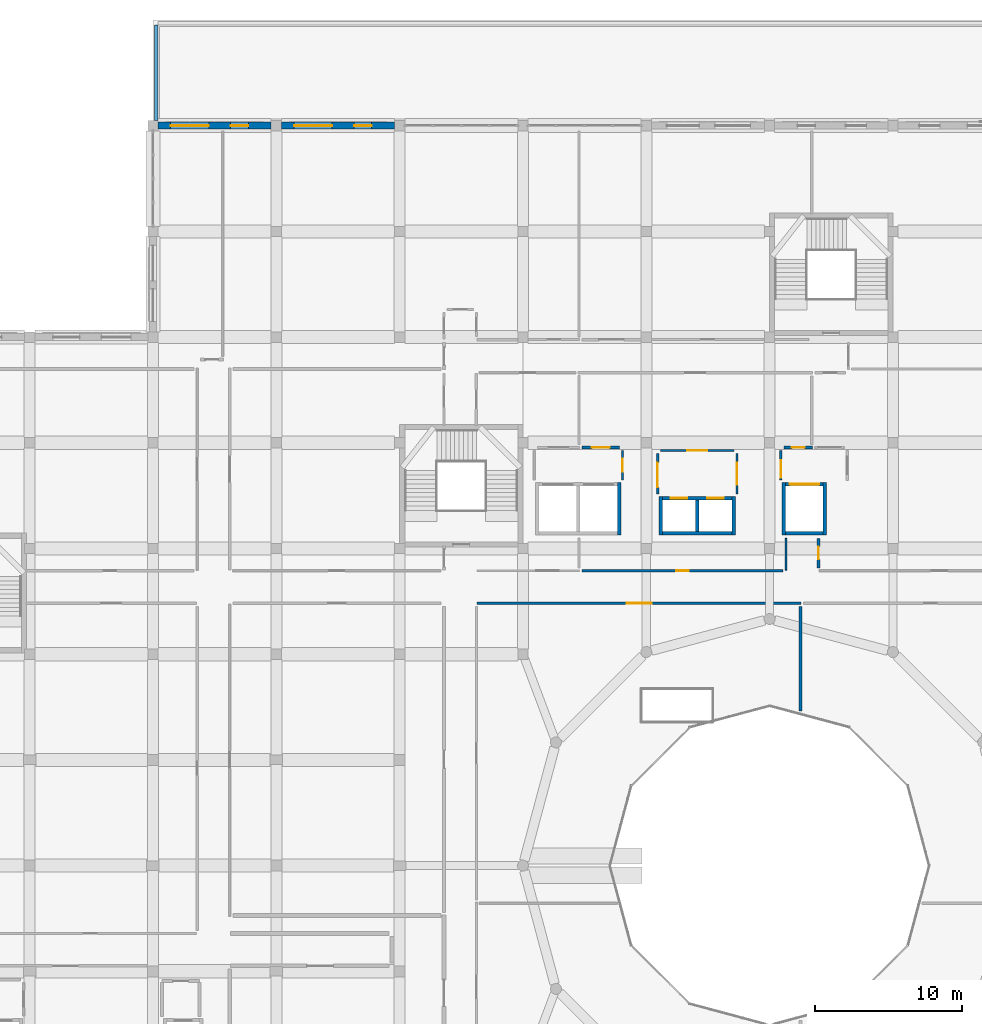
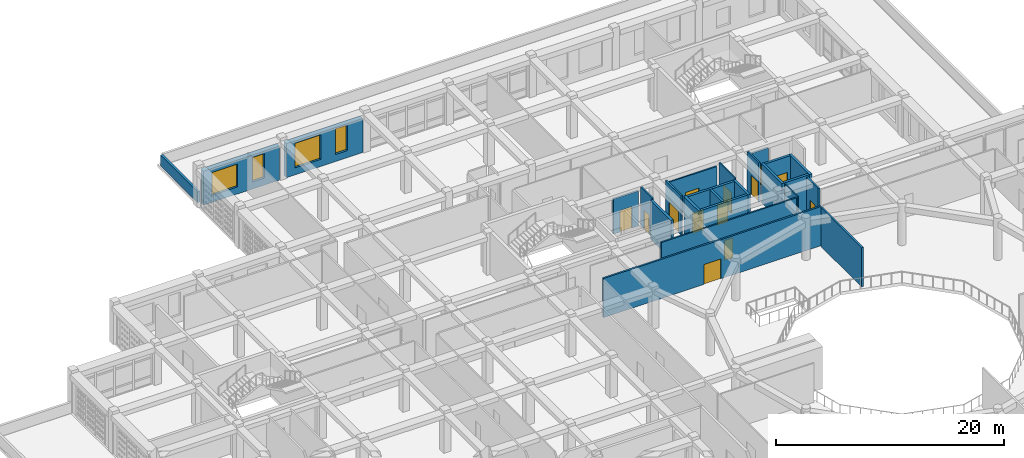
# One storey, part 63 of 100: 25 walls, 13 doors, 4 windows, 17 openings.
"""IFC4 building model written with IfcOpenShell, lengths in metres."""

from ifc_helpers import new_model, si_unit, derived_unit, direction, frame, frame_2d, origin, place, context, subcontext, project, spatial, rectangle, extrude, material, layer, layer_set, type_object, element, fill, save


model = new_model("IFC4")

# Units and contexts
model_context = context("Model", 3, precision=1e-05, world=origin(), true_north=direction((0.0, 1.0)))
body_context = subcontext(model_context, "Body", "Model", "MODEL_VIEW")
ifc_project = project(units=[si_unit("LENGTHUNIT", "METRE"), si_unit("AREAUNIT", "SQUARE_METRE"), si_unit("VOLUMEUNIT", "CUBIC_METRE"), si_unit("PLANEANGLEUNIT", "RADIAN"), si_unit("MASSUNIT", "GRAM", prefix="KILO"), derived_unit("THERMALTRANSMITTANCEUNIT", [(si_unit("POWERUNIT", "WATT"), 1), (si_unit("LENGTHUNIT", "METRE"), -2), (si_unit("THERMODYNAMICTEMPERATUREUNIT", "KELVIN"), -1)])], contexts=[model_context])

# Site, building, storey
site_placement = place(None, origin())
site = spatial("IfcSite", under=ifc_project, at=site_placement, CompositionType="ELEMENT")
building_placement = place(site_placement, origin())
building = spatial("IfcBuilding", under=site, at=building_placement, Name="Veybourne Emporium", CompositionType="ELEMENT")
storey_placement = place(building_placement, frame((0.0, 0.0, 14.39990234375)))
storey = spatial("IfcBuildingStorey", under=building, at=storey_placement, Name="L03", CompositionType="ELEMENT", Elevation=14.39990234375)

# Wall, openings, windows
ifc_material_1 = material(Name="Portland Limestone Ashlar", Category="masonry")
ifc_layer_1 = layer(ifc_material_1, 0.47998046875)
ifc_layer_set_1 = layer_set([ifc_layer_1], Name="Portland Limestone Ashlar")
wall_type_1 = type_object("IfcWallType", Name="ExtWall_EW-01", PredefinedType="SOLIDWALL", material=ifc_layer_set_1)
wall_1_placement = place(storey_placement, frame((33.949951171875, 100.800048828125, 0.0), z_axis=(0.0, 0.0, 1.0), x_axis=(1.0, 0.0, 0.0)))
wall_1 = element("IfcWall", 1, at=wall_1_placement, inside=storey, type_object=wall_type_1, Name="L03 Portland stone external wall 023", PredefinedType="SOLIDWALL", context=body_context, shape_type="SweptSolid", body=[
    extrude(rectangle(XDim=7.699951171875, YDim=0.47998046875, at=frame_2d((3.85009765625, 0.0))), origin(), (0.0, 0.0, 1.0), 3.630126953125),
])
opening_1_placement = place(wall_1_placement, frame((0.85595703125, 0.0, 0.75)))
opening_1 = element("IfcOpeningElement", 2, at=opening_1_placement, cuts=wall_1, Name="Opening W-32", PredefinedType="OPENING", context=body_context, shape_type="SweptSolid", body=[
    extrude(rectangle(XDim=2.60009765625, YDim=2.43994140625, at=frame_2d((1.300048828125, 1.219970703125))), frame((0.0, 0.260009765625, 0.0), z_axis=(0.0, -1.0, 0.0), x_axis=(1.0, 0.0, 0.0)), (0.0, 0.0, 1.0), 0.52001953125),
])
opening_2_placement = place(wall_1_placement, frame((4.944091796875, 0.0, 0.75)))
opening_2 = element("IfcOpeningElement", 3, at=opening_2_placement, cuts=wall_1, Name="Opening W-33", PredefinedType="OPENING", context=body_context, shape_type="SweptSolid", body=[
    extrude(rectangle(XDim=1.199951171875, YDim=2.6201171875, at=frame_2d((0.60009765625, 1.31005859375))), frame((0.0, 0.260009765625, 0.0), z_axis=(0.0, -1.0, 0.0), x_axis=(1.0, 0.0, 0.0)), (0.0, 0.0, 1.0), 0.52001953125),
])
ifc_material_2 = material(Name="Low-E Triple Glazing", Category="glass")
window_type_1 = type_object("IfcWindowType", Name="Win_W-32", PartitioningType="TRIPLE_PANEL_VERTICAL", PredefinedType="WINDOW", material=ifc_material_2)
window_1_placement = place(opening_1_placement, origin())
window_1 = element("IfcWindow", 4, at=window_1_placement, inside=storey, type_object=window_type_1, Name="L03 tripartite bronze casement window W-32 (23.1)", OverallHeight=2.43994140625, OverallWidth=2.60009765625, PartitioningType="TRIPLE_PANEL_VERTICAL", PredefinedType="WINDOW", context=body_context, shape_type="SweptSolid", body=[
    extrude(rectangle(XDim=2.60009765625, YDim=2.43994140625, at=frame_2d((1.300048828125, 1.219970703125))), frame((0.0, 0.030029296875, 0.0), z_axis=(0.0, -1.0, 0.0), x_axis=(1.0, 0.0, 0.0)), (0.0, 0.0, 1.0), 0.06005859375),
])
fill(opening_1, window_1)
window_type_2 = type_object("IfcWindowType", Name="Win_W-33", PartitioningType="SINGLE_PANEL", PredefinedType="WINDOW", material=ifc_material_2)
window_2_placement = place(opening_2_placement, origin())
window_2 = element("IfcWindow", 5, at=window_2_placement, inside=storey, type_object=window_type_2, Name="L03 tripartite bronze casement window W-33 (23.2)", OverallHeight=2.6201171875, OverallWidth=1.199951171875, PartitioningType="SINGLE_PANEL", PredefinedType="WINDOW", context=body_context, shape_type="SweptSolid", body=[
    extrude(rectangle(XDim=1.199951171875, YDim=2.6201171875, at=frame_2d((0.60009765625, 1.31005859375))), frame((0.0, 0.030029296875, 0.0), z_axis=(0.0, -1.0, 0.0), x_axis=(1.0, 0.0, 0.0)), (0.0, 0.0, 1.0), 0.06005859375),
])
fill(opening_2, window_2)

wall_2_placement = place(storey_placement, frame((42.35009765625, 100.800048828125, 0.0), z_axis=(0.0, 0.0, 1.0), x_axis=(1.0, 0.0, 0.0)))
wall_2 = element("IfcWall", 6, at=wall_2_placement, inside=storey, type_object=wall_type_1, Name="L03 Portland stone external wall 031", PredefinedType="SOLIDWALL", context=body_context, shape_type="SweptSolid", body=[
    extrude(rectangle(XDim=7.699951171875, YDim=0.47998046875, at=frame_2d((3.85009765625, 0.0))), origin(), (0.0, 0.0, 1.0), 3.630126953125),
])
opening_3_placement = place(wall_2_placement, frame((0.85595703125, 0.0, 0.75)))
opening_3 = element("IfcOpeningElement", 7, at=opening_3_placement, cuts=wall_2, Name="Opening W-40", PredefinedType="OPENING", context=body_context, shape_type="SweptSolid", body=[
    extrude(rectangle(XDim=2.60009765625, YDim=2.6201171875, at=frame_2d((1.300048828125, 1.31005859375))), frame((0.0, 0.260009765625, 0.0), z_axis=(0.0, -1.0, 0.0), x_axis=(1.0, 0.0, 0.0)), (0.0, 0.0, 1.0), 0.52001953125),
])
opening_4_placement = place(wall_2_placement, frame((4.944091796875, 0.0, 0.75)))
opening_4 = element("IfcOpeningElement", 8, at=opening_4_placement, cuts=wall_2, Name="Opening W-41", PredefinedType="OPENING", context=body_context, shape_type="SweptSolid", body=[
    extrude(rectangle(XDim=1.199951171875, YDim=2.72998046875, at=frame_2d((0.60009765625, 1.364990234375))), frame((0.0, 0.260009765625, 0.0), z_axis=(0.0, -1.0, 0.0), x_axis=(1.0, 0.0, 0.0)), (0.0, 0.0, 1.0), 0.52001953125),
])
window_type_3 = type_object("IfcWindowType", Name="Win_W-40", PartitioningType="TRIPLE_PANEL_VERTICAL", PredefinedType="WINDOW", material=ifc_material_2)
window_3_placement = place(opening_3_placement, origin())
window_3 = element("IfcWindow", 9, at=window_3_placement, inside=storey, type_object=window_type_3, Name="L03 tripartite bronze casement window W-40 (31.1)", OverallHeight=2.6201171875, OverallWidth=2.60009765625, PartitioningType="TRIPLE_PANEL_VERTICAL", PredefinedType="WINDOW", context=body_context, shape_type="SweptSolid", body=[
    extrude(rectangle(XDim=2.60009765625, YDim=2.6201171875, at=frame_2d((1.300048828125, 1.31005859375))), frame((0.0, 0.030029296875, 0.0), z_axis=(0.0, -1.0, 0.0), x_axis=(1.0, 0.0, 0.0)), (0.0, 0.0, 1.0), 0.06005859375),
])
fill(opening_3, window_3)
window_type_4 = type_object("IfcWindowType", Name="Win_W-41", PartitioningType="SINGLE_PANEL", PredefinedType="WINDOW", material=ifc_material_2)
window_4_placement = place(opening_4_placement, origin())
window_4 = element("IfcWindow", 10, at=window_4_placement, inside=storey, type_object=window_type_4, Name="L03 tripartite bronze casement window W-41 (31.2)", OverallHeight=2.72998046875, OverallWidth=1.199951171875, PartitioningType="SINGLE_PANEL", PredefinedType="WINDOW", context=body_context, shape_type="SweptSolid", body=[
    extrude(rectangle(XDim=1.199951171875, YDim=2.72998046875, at=frame_2d((0.60009765625, 1.364990234375))), frame((0.0, 0.030029296875, 0.0), z_axis=(0.0, -1.0, 0.0), x_axis=(1.0, 0.0, 0.0)), (0.0, 0.0, 1.0), 0.06005859375),
])
fill(opening_4, window_4)

# Wall
ifc_material_3 = material(Name="Precast concrete C40/50", Category="concrete")
ifc_layer_2 = layer(ifc_material_3, 0.239990234375)
ifc_layer_set_2 = layer_set([ifc_layer_2], Name="Precast concrete C40/50")
wall_type_2 = type_object("IfcWallType", Name="ExtWall_PW-02", PredefinedType="PARAPET", material=ifc_layer_set_2)
wall_3_placement = place(storey_placement, frame((33.820068359375, 101.14990234375, 0.0), z_axis=(0.0, 0.0, 1.0), x_axis=(0.0, 1.0, 0.0)))
element("IfcWall", 11, at=wall_3_placement, inside=storey, type_object=wall_type_2, Name="L03 roof parapet wall 004", PredefinedType="PARAPET", context=body_context, shape_type="SweptSolid", body=[
    extrude(rectangle(XDim=6.5, YDim=0.239990234375, at=frame_2d((3.25, 0.0))), origin(), (0.0, 0.0, 1.0), 1.150146484375),
])

# Wall, openings, doors
ifc_material_4 = material(Name="Concrete C40/50", Category="concrete")
ifc_layer_3 = layer(ifc_material_4, 0.239990234375)
ifc_layer_set_3 = layer_set([ifc_layer_3], Name="Concrete C40/50")
wall_type_3 = type_object("IfcWallType", Name="IntWall_CW-04", PredefinedType="SHEAR", material=ifc_layer_set_3)
wall_4_placement = place(storey_placement, frame((73.0400390625, 75.419921875, 0.0), z_axis=(0.0, 0.0, 1.0), x_axis=(-1.0, 0.0, 0.0)))
wall_4 = element("IfcWall", 12, at=wall_4_placement, inside=storey, type_object=wall_type_3, Name="Lift core C4P north shaft wall (L03)", PredefinedType="SHEAR", context=body_context, shape_type="SweptSolid", body=[
    extrude(rectangle(XDim=4.739990234375, YDim=0.239990234375, at=frame_2d((2.3701171875, 0.0))), origin(), (0.0, 0.0, 1.0), 4.18017578125),
])
opening_5_placement = place(wall_4_placement, frame((3.06494140625, 0.0, 0.0)))
opening_5 = element("IfcOpeningElement", 13, at=opening_5_placement, cuts=wall_4, Name="Opening LD-01", PredefinedType="OPENING", context=body_context, shape_type="SweptSolid", body=[
    extrude(rectangle(XDim=1.10009765625, YDim=2.199951171875, at=frame_2d((0.550048828125, 1.10009765625))), frame((0.0, 0.14013671875, 0.0), z_axis=(0.0, -1.0, 0.0), x_axis=(1.0, 0.0, 0.0)), (0.0, 0.0, 1.0), 0.280029296875),
])
opening_6_placement = place(wall_4_placement, frame((0.574951171875, 0.0, 0.0)))
opening_6 = element("IfcOpeningElement", 14, at=opening_6_placement, cuts=wall_4, Name="Opening LD-01", PredefinedType="OPENING", context=body_context, shape_type="SweptSolid", body=[
    extrude(rectangle(XDim=1.10009765625, YDim=2.199951171875, at=frame_2d((0.550048828125, 1.10009765625))), frame((0.0, 0.14013671875, 0.0), z_axis=(0.0, -1.0, 0.0), x_axis=(1.0, 0.0, 0.0)), (0.0, 0.0, 1.0), 0.280029296875),
])
ifc_material_5 = material(Name="Patinated Architectural Bronze", Category="bronze")
door_type_1 = type_object("IfcDoorType", Name="FireDoor_LD-01", OperationType="DOUBLE_DOOR_SLIDING", PredefinedType="DOOR", material=ifc_material_5)
door_1_placement = place(opening_5_placement, origin())
door_1 = element("IfcDoor", 15, at=door_1_placement, inside=storey, type_object=door_type_1, Name="Lift PL-05 sliding landing door (L03)", OperationType="DOUBLE_DOOR_SLIDING", OverallHeight=2.199951171875, OverallWidth=1.10009765625, PredefinedType="DOOR", context=body_context, shape_type="SweptSolid", body=[
    extrude(rectangle(XDim=1.10009765625, YDim=2.199951171875, at=frame_2d((0.550048828125, 1.10009765625))), frame((0.0, 0.02490234375, 0.0), z_axis=(0.0, -1.0, 0.0), x_axis=(1.0, 0.0, 0.0)), (0.0, 0.0, 1.0), 0.050048828125),
])
fill(opening_5, door_1)
door_2_placement = place(opening_6_placement, origin())
door_2 = element("IfcDoor", 16, at=door_2_placement, inside=storey, type_object=door_type_1, Name="Lift PL-06 sliding landing door (L03)", OperationType="DOUBLE_DOOR_SLIDING", OverallHeight=2.199951171875, OverallWidth=1.10009765625, PredefinedType="DOOR", context=body_context, shape_type="SweptSolid", body=[
    extrude(rectangle(XDim=1.10009765625, YDim=2.199951171875, at=frame_2d((0.550048828125, 1.10009765625))), frame((0.0, 0.02490234375, 0.0), z_axis=(0.0, -1.0, 0.0), x_axis=(1.0, 0.0, 0.0)), (0.0, 0.0, 1.0), 0.050048828125),
])
fill(opening_6, door_2)

# Walls
wall_5_placement = place(storey_placement, frame((68.300048828125, 73.030029296875, 0.0), z_axis=(0.0, 0.0, 1.0), x_axis=(1.0, 0.0, 0.0)))
element("IfcWall", 17, at=wall_5_placement, inside=storey, type_object=wall_type_3, Name="Lift core C4P south shaft wall (L03)", PredefinedType="SHEAR", context=body_context, shape_type="SweptSolid", body=[
    extrude(rectangle(XDim=4.739990234375, YDim=0.239990234375, at=frame_2d((2.3701171875, 0.0))), origin(), (0.0, 0.0, 1.0), 4.18017578125),
])
for number, where, z_axis, x_axis, name in (
    (18, (68.179931640625, 75.5400390625, 0.0), (0.0, 0.0, 1.0), (0.0, -1.0, 0.0), "Lift core C4P west shaft wall (L03)"),
    (19, (73.159912109375, 72.909912109375, 0.0), (0.0, 0.0, 1.0), (0.0, 1.0, 0.0), "Lift core C4P east shaft wall (L03)"),
):
    element("IfcWall", number, at=place(storey_placement, frame(where, z_axis=z_axis, x_axis=x_axis)), inside=storey, type_object=wall_type_3, Name=name, PredefinedType="SHEAR", context=body_context, shape_type="SweptSolid", body=[
        extrude(rectangle(XDim=2.630126953125, YDim=0.239990234375, at=frame_2d((1.31494140625, 0.0))), origin(), (0.0, 0.0, 1.0), 4.18017578125),
    ])
wall_6_placement = place(storey_placement, frame((70.669921875, 73.14990234375, 0.0), z_axis=(0.0, 0.0, 1.0), x_axis=(0.0, 1.0, 0.0)))
element("IfcWall", 20, at=wall_6_placement, inside=storey, type_object=wall_type_3, Name="Lift core C4P divider wall 1 (L03)", PredefinedType="SHEAR", context=body_context, shape_type="SweptSolid", body=[
    extrude(rectangle(XDim=2.150146484375, YDim=0.239990234375, at=frame_2d((1.0751953125, 0.0))), origin(), (0.0, 0.0, 1.0), 4.18017578125),
])
wall_7_placement = place(storey_placement, frame((65.360107421875, 72.909912109375, 0.0), z_axis=(0.0, 0.0, 1.0), x_axis=(0.0, 1.0, 0.0)))
element("IfcWall", 21, at=wall_7_placement, inside=storey, type_object=wall_type_3, Name="Lift core C4G east shaft wall (L03)", PredefinedType="SHEAR", context=body_context, shape_type="SweptSolid", body=[
    extrude(rectangle(XDim=3.580078125, YDim=0.239990234375, at=frame_2d((1.7900390625, 0.0))), origin(), (0.0, 0.0, 1.0), 4.18017578125),
])

# Wall, opening, door
wall_8_placement = place(storey_placement, frame((79.25, 76.3701171875, 0.0), z_axis=(0.0, 0.0, 1.0), x_axis=(-1.0, 0.0, 0.0)))
wall_8 = element("IfcWall", 22, at=wall_8_placement, inside=storey, type_object=wall_type_3, Name="Lift core C4E north shaft wall (L03)", PredefinedType="SHEAR", context=body_context, shape_type="SweptSolid", body=[
    extrude(rectangle(XDim=2.550048828125, YDim=0.239990234375, at=frame_2d((1.27490234375, 0.0))), origin(), (0.0, 0.0, 1.0), 4.18017578125),
])
opening_7_placement = place(wall_8_placement, frame((0.27490234375, 0.0, 0.0)))
opening_7 = element("IfcOpeningElement", 23, at=opening_7_placement, cuts=wall_8, Name="Opening LD-03", PredefinedType="OPENING", context=body_context, shape_type="SweptSolid", body=[
    extrude(rectangle(XDim=2.0, YDim=2.5, at=frame_2d((1.0, 1.25))), frame((0.0, 0.14013671875, 0.0), z_axis=(0.0, -1.0, 0.0), x_axis=(1.0, 0.0, 0.0)), (0.0, 0.0, 1.0), 0.280029296875),
])
door_type_2 = type_object("IfcDoorType", Name="FireDoor_LD-03", OperationType="DOUBLE_DOOR_SLIDING", PredefinedType="DOOR", material=ifc_material_5)
door_3_placement = place(opening_7_placement, origin())
door_3 = element("IfcDoor", 24, at=door_3_placement, inside=storey, type_object=door_type_2, Name="Lift GL-03 sliding landing door (L03)", OperationType="DOUBLE_DOOR_SLIDING", OverallHeight=2.5, OverallWidth=2.0, PredefinedType="DOOR", context=body_context, shape_type="SweptSolid", body=[
    extrude(rectangle(XDim=2.0, YDim=2.5, at=frame_2d((1.0, 1.25))), frame((0.0, 0.02490234375, 0.0), z_axis=(0.0, -1.0, 0.0), x_axis=(1.0, 0.0, 0.0)), (0.0, 0.0, 1.0), 0.050048828125),
])
fill(opening_7, door_3)

# Walls
wall_9_placement = place(storey_placement, frame((76.699951171875, 73.030029296875, 0.0), z_axis=(0.0, 0.0, 1.0), x_axis=(1.0, 0.0, 0.0)))
element("IfcWall", 25, at=wall_9_placement, inside=storey, type_object=wall_type_3, Name="Lift core C4E south shaft wall (L03)", PredefinedType="SHEAR", context=body_context, shape_type="SweptSolid", body=[
    extrude(rectangle(XDim=2.550048828125, YDim=0.239990234375, at=frame_2d((1.27490234375, 0.0))), origin(), (0.0, 0.0, 1.0), 4.18017578125),
])
for number, where, z_axis, x_axis, name in (
    (26, (76.580078125, 76.489990234375, 0.0), (0.0, 0.0, 1.0), (0.0, -1.0, 0.0), "Lift core C4E west shaft wall (L03)"),
    (27, (79.3701171875, 72.909912109375, 0.0), (0.0, 0.0, 1.0), (0.0, 1.0, 0.0), "Lift core C4E east shaft wall (L03)"),
):
    element("IfcWall", number, at=place(storey_placement, frame(where, z_axis=z_axis, x_axis=x_axis)), inside=storey, type_object=wall_type_3, Name=name, PredefinedType="SHEAR", context=body_context, shape_type="SweptSolid", body=[
        extrude(rectangle(XDim=3.580078125, YDim=0.239990234375, at=frame_2d((1.7900390625, 0.0))), origin(), (0.0, 0.0, 1.0), 4.18017578125),
    ])

# Wall, opening, door
ifc_material_6 = material(Name="Gypsum Acoustic Board", Category="gypsum")
ifc_layer_4 = layer(ifc_material_6, 0.179931640625)
ifc_layer_set_4 = layer_set([ifc_layer_4], Name="Gypsum Acoustic Board")
wall_type_4 = type_object("IfcWallType", Name="IntWall_IW-01", PredefinedType="PARTITIONING", material=ifc_layer_set_4)
wall_10_placement = place(storey_placement, frame((55.679931640625, 68.27001953125, 0.0), z_axis=(0.0, 0.0, 1.0), x_axis=(1.0, 0.0, 0.0)))
wall_10 = element("IfcWall", 28, at=wall_10_placement, inside=storey, type_object=wall_type_4, Name="L03 interior partition IW-01 #002", PredefinedType="PARTITIONING", context=body_context, shape_type="SweptSolid", body=[
    extrude(rectangle(XDim=22.074951171875, YDim=0.179931640625, at=frame_2d((11.03759765625, 0.0))), origin(), (0.0, 0.0, 1.0), 4.18017578125),
])
opening_8_placement = place(wall_10_placement, frame((10.197509765625, 0.0, 0.0)))
opening_8 = element("IfcOpeningElement", 29, at=opening_8_placement, cuts=wall_10, Name="Opening D-12", PredefinedType="OPENING", context=body_context, shape_type="SweptSolid", body=[
    extrude(rectangle(XDim=1.679931640625, YDim=2.1298828125, at=frame_2d((0.83984375, 1.06494140625))), frame((0.0, 0.10986328125, 0.0), z_axis=(0.0, -1.0, 0.0), x_axis=(1.0, 0.0, 0.0)), (0.0, 0.0, 1.0), 0.219970703125),
])
ifc_material_7 = material(Name="European Oak Veneer and Bronze", Category="wood")
door_type_3 = type_object("IfcDoorType", Name="IntDoor_D-12", OperationType="DOUBLE_DOOR_SINGLE_SWING", PredefinedType="DOOR", material=ifc_material_7)
door_4_placement = place(opening_8_placement, origin())
door_4 = element("IfcDoor", 30, at=door_4_placement, inside=storey, type_object=door_type_3, Name="L03 interior door D-12 (PART-L03-002)", OperationType="DOUBLE_DOOR_SINGLE_SWING", OverallHeight=2.1298828125, OverallWidth=1.679931640625, PredefinedType="DOOR", context=body_context, shape_type="SweptSolid", body=[
    extrude(rectangle(XDim=1.679931640625, YDim=2.1298828125, at=frame_2d((0.83984375, 1.06494140625))), frame((0.0, 0.02490234375, 0.0), z_axis=(0.0, -1.0, 0.0), x_axis=(1.0, 0.0, 0.0)), (0.0, 0.0, 1.0), 0.050048828125),
])
fill(opening_8, door_4)

wall_11_placement = place(storey_placement, frame((67.969970703125, 75.721923828125, 0.0), z_axis=(0.0, 0.0, 1.0), x_axis=(0.0, 1.0, 0.0)))
wall_11 = element("IfcWall", 31, at=wall_11_placement, inside=storey, type_object=wall_type_4, Name="L03 interior partition IW-01 #080", PredefinedType="PARTITIONING", context=body_context, shape_type="SweptSolid", body=[
    extrude(rectangle(XDim=2.748046875, YDim=0.179931640625, at=frame_2d((1.3740234375, 0.0))), origin(), (0.0, 0.0, 1.0), 4.18017578125),
])
opening_9_placement = place(wall_11_placement, frame((0.448486328125, 0.0, 0.0)))
opening_9 = element("IfcOpeningElement", 32, at=opening_9_placement, cuts=wall_11, Name="Opening D-18", PredefinedType="OPENING", context=body_context, shape_type="SweptSolid", body=[
    extrude(rectangle(XDim=1.679931640625, YDim=2.2099609375, at=frame_2d((0.83984375, 1.10498046875))), frame((0.0, 0.10986328125, 0.0), z_axis=(0.0, -1.0, 0.0), x_axis=(1.0, 0.0, 0.0)), (0.0, 0.0, 1.0), 0.219970703125),
])
door_type_4 = type_object("IfcDoorType", Name="IntDoor_D-18", OperationType="DOUBLE_DOOR_SINGLE_SWING", PredefinedType="DOOR", material=ifc_material_7)
door_5_placement = place(opening_9_placement, origin())
door_5 = element("IfcDoor", 33, at=door_5_placement, inside=storey, type_object=door_type_4, Name="L03 interior door D-18 (PART-L03-080)", OperationType="DOUBLE_DOOR_SINGLE_SWING", OverallHeight=2.2099609375, OverallWidth=1.679931640625, PredefinedType="DOOR", context=body_context, shape_type="SweptSolid", body=[
    extrude(rectangle(XDim=1.679931640625, YDim=2.2099609375, at=frame_2d((0.83984375, 1.10498046875))), frame((0.0, 0.02490234375, 0.0), z_axis=(0.0, -1.0, 0.0), x_axis=(1.0, 0.0, 0.0)), (0.0, 0.0, 1.0), 0.050048828125),
])
fill(opening_9, door_5)

wall_12_placement = place(storey_placement, frame((62.822021484375, 78.8798828125, 0.0), z_axis=(0.0, 0.0, 1.0), x_axis=(1.0, 0.0, 0.0)))
wall_12 = element("IfcWall", 34, at=wall_12_placement, inside=storey, type_object=wall_type_4, Name="L03 interior partition IW-01 #083", PredefinedType="PARTITIONING", context=body_context, shape_type="SweptSolid", body=[
    extrude(rectangle(XDim=2.548095703125, YDim=0.179931640625, at=frame_2d((1.27392578125, 0.0))), origin(), (0.0, 0.0, 1.0), 3.72998046875),
])
opening_10_placement = place(wall_12_placement, frame((0.674072265625, 0.0, 0.0)))
opening_10 = element("IfcOpeningElement", 35, at=opening_10_placement, cuts=wall_12, Name="Opening D-21", PredefinedType="OPENING", context=body_context, shape_type="SweptSolid", body=[
    extrude(rectangle(XDim=1.199951171875, YDim=2.2900390625, at=frame_2d((0.60009765625, 1.14501953125))), frame((0.0, 0.10986328125, 0.0), z_axis=(0.0, -1.0, 0.0), x_axis=(1.0, 0.0, 0.0)), (0.0, 0.0, 1.0), 0.219970703125),
])
door_type_5 = type_object("IfcDoorType", Name="IntDoor_D-21", OperationType="NOTDEFINED", PredefinedType="DOOR", material=ifc_material_7)
door_6_placement = place(opening_10_placement, origin())
door_6 = element("IfcDoor", 36, at=door_6_placement, inside=storey, type_object=door_type_5, Name="L03 interior door D-21 (PART-L03-083)", OperationType="SINGLE_SWING_LEFT", OverallHeight=2.2900390625, OverallWidth=1.199951171875, PredefinedType="DOOR", context=body_context, shape_type="SweptSolid", body=[
    extrude(rectangle(XDim=1.199951171875, YDim=2.2900390625, at=frame_2d((0.60009765625, 1.14501953125))), frame((0.0, 0.02490234375, 0.0), z_axis=(0.0, -1.0, 0.0), x_axis=(1.0, 0.0, 0.0)), (0.0, 0.0, 1.0), 0.050048828125),
])
fill(opening_10, door_6)

wall_13_placement = place(storey_placement, frame((78.929931640625, 70.68994140625, 0.0), z_axis=(0.0, 0.0, 1.0), x_axis=(0.0, 1.0, 0.0)))
wall_13 = element("IfcWall", 37, at=wall_13_placement, inside=storey, type_object=wall_type_4, Name="L03 interior partition IW-01 #098", PredefinedType="PARTITIONING", context=body_context, shape_type="SweptSolid", body=[
    extrude(rectangle(XDim=2.010009765625, YDim=0.179931640625, at=frame_2d((1.0048828125, 0.0))), origin(), (0.0, 0.0, 1.0), 4.18017578125),
])
opening_11_placement = place(wall_13_placement, frame((0.56494140625, 0.0, 0.0)))
opening_11 = element("IfcOpeningElement", 38, at=opening_11_placement, cuts=wall_13, Name="Opening D-01", PredefinedType="OPENING", context=body_context, shape_type="SweptSolid", body=[
    extrude(rectangle(XDim=0.8798828125, YDim=2.050048828125, at=frame_2d((0.43994140625, 1.02490234375))), frame((0.0, 0.10986328125, 0.0), z_axis=(0.0, -1.0, 0.0), x_axis=(1.0, 0.0, 0.0)), (0.0, 0.0, 1.0), 0.219970703125),
])
door_type_6 = type_object("IfcDoorType", Name="IntDoor_D-01", OperationType="NOTDEFINED", PredefinedType="DOOR", material=ifc_material_7)
door_7_placement = place(opening_11_placement, origin())
door_7 = element("IfcDoor", 39, at=door_7_placement, inside=storey, type_object=door_type_6, Name="L03 interior door D-01 (PART-L03-098)", OperationType="SINGLE_SWING_RIGHT", OverallHeight=2.050048828125, OverallWidth=0.8798828125, PredefinedType="DOOR", context=body_context, shape_type="SweptSolid", body=[
    extrude(rectangle(XDim=0.8798828125, YDim=2.050048828125, at=frame_2d((0.43994140625, 1.02490234375))), frame((0.0, 0.02490234375, 0.0), z_axis=(0.0, -1.0, 0.0), x_axis=(1.0, 0.0, 0.0)), (0.0, 0.0, 1.0), 0.050048828125),
])
fill(opening_11, door_7)

wall_14_placement = place(storey_placement, frame((76.3701171875, 76.672119140625, 0.0), z_axis=(0.0, 0.0, 1.0), x_axis=(0.0, 1.0, 0.0)))
wall_14 = element("IfcWall", 40, at=wall_14_placement, inside=storey, type_object=wall_type_4, Name="L03 interior partition IW-01 #101", PredefinedType="PARTITIONING", context=body_context, shape_type="SweptSolid", body=[
    extrude(rectangle(XDim=1.997802734375, YDim=0.179931640625, at=frame_2d((0.9990234375, 0.0))), origin(), (0.0, 0.0, 1.0), 4.18017578125),
])
opening_12_placement = place(wall_14_placement, frame((0.1435546875, 0.0, 0.0)))
opening_12 = element("IfcOpeningElement", 41, at=opening_12_placement, cuts=wall_14, Name="Opening D-03", PredefinedType="OPENING", context=body_context, shape_type="SweptSolid", body=[
    extrude(rectangle(XDim=1.199951171875, YDim=2.050048828125, at=frame_2d((0.60009765625, 1.02490234375))), frame((0.0, 0.10986328125, 0.0), z_axis=(0.0, -1.0, 0.0), x_axis=(1.0, 0.0, 0.0)), (0.0, 0.0, 1.0), 0.219970703125),
])
door_type_7 = type_object("IfcDoorType", Name="IntDoor_D-03", OperationType="NOTDEFINED", PredefinedType="DOOR", material=ifc_material_7)
door_8_placement = place(opening_12_placement, origin())
door_8 = element("IfcDoor", 42, at=door_8_placement, inside=storey, type_object=door_type_7, Name="L03 interior door D-03 (PART-L03-101)", OperationType="SINGLE_SWING_RIGHT", OverallHeight=2.050048828125, OverallWidth=1.199951171875, PredefinedType="DOOR", context=body_context, shape_type="SweptSolid", body=[
    extrude(rectangle(XDim=1.199951171875, YDim=2.050048828125, at=frame_2d((0.60009765625, 1.02490234375))), frame((0.0, 0.02490234375, 0.0), z_axis=(0.0, -1.0, 0.0), x_axis=(1.0, 0.0, 0.0)), (0.0, 0.0, 1.0), 0.050048828125),
])
fill(opening_12, door_8)

wall_15_placement = place(storey_placement, frame((76.580078125, 78.8798828125, 0.0), z_axis=(0.0, 0.0, 1.0), x_axis=(1.0, 0.0, 0.0)))
wall_15 = element("IfcWall", 43, at=wall_15_placement, inside=storey, type_object=wall_type_4, Name="L03 interior partition IW-01 #104", PredefinedType="PARTITIONING", context=body_context, shape_type="SweptSolid", body=[
    extrude(rectangle(XDim=1.94580078125, YDim=0.179931640625, at=frame_2d((0.972900390625, 0.0))), origin(), (0.0, 0.0, 1.0), 3.72998046875),
])
opening_13_placement = place(wall_15_placement, frame((0.532958984375, 0.0, 0.0)))
opening_13 = element("IfcOpeningElement", 44, at=opening_13_placement, cuts=wall_15, Name="Opening D-01", PredefinedType="OPENING", context=body_context, shape_type="SweptSolid", body=[
    extrude(rectangle(XDim=0.8798828125, YDim=2.050048828125, at=frame_2d((0.43994140625, 1.02490234375))), frame((0.0, 0.10986328125, 0.0), z_axis=(0.0, -1.0, 0.0), x_axis=(1.0, 0.0, 0.0)), (0.0, 0.0, 1.0), 0.219970703125),
])
door_9_placement = place(opening_13_placement, origin())
door_9 = element("IfcDoor", 45, at=door_9_placement, inside=storey, type_object=door_type_6, Name="L03 interior door D-01 (PART-L03-104)", OperationType="SINGLE_SWING_LEFT", OverallHeight=2.050048828125, OverallWidth=0.8798828125, PredefinedType="DOOR", context=body_context, shape_type="SweptSolid", body=[
    extrude(rectangle(XDim=0.8798828125, YDim=2.050048828125, at=frame_2d((0.43994140625, 1.02490234375))), frame((0.0, 0.02490234375, 0.0), z_axis=(0.0, -1.0, 0.0), x_axis=(1.0, 0.0, 0.0)), (0.0, 0.0, 1.0), 0.050048828125),
])
fill(opening_13, door_9)

# Wall
wall_16_placement = place(storey_placement, frame((77.705078125, 60.943115234375, 0.0), z_axis=(0.0, 0.0, 1.0), x_axis=(0.0, 1.0, 0.0)))
element("IfcWall", 46, at=wall_16_placement, inside=storey, type_object=wall_type_4, Name="L03 interior partition IW-01 #137", PredefinedType="PARTITIONING", context=body_context, shape_type="SweptSolid", body=[
    extrude(rectangle(XDim=7.116943359375, YDim=0.179931640625, at=frame_2d((3.55859375, 0.0))), origin(), (0.0, 0.0, 1.0), 4.18017578125),
])

# Wall, opening, door
ifc_layer_5 = layer(ifc_material_6, 0.14990234375)
ifc_layer_set_5 = layer_set([ifc_layer_5], Name="Gypsum Acoustic Board")
wall_type_5 = type_object("IfcWallType", Name="IntWall_IW-02", PredefinedType="PARTITIONING", material=ifc_layer_set_5)
wall_17_placement = place(storey_placement, frame((62.822021484375, 70.47998046875, 0.0), z_axis=(0.0, 0.0, 1.0), x_axis=(1.0, 0.0, 0.0)))
wall_17 = element("IfcWall", 47, at=wall_17_placement, inside=storey, type_object=wall_type_5, Name="L03 interior partition IW-02 #033", PredefinedType="PARTITIONING", context=body_context, shape_type="SweptSolid", body=[
    extrude(rectangle(XDim=13.68798828125, YDim=0.14990234375, at=frame_2d((6.843994140625, 0.0))), origin(), (0.0, 0.0, 1.0), 4.18017578125),
])
opening_14_placement = place(wall_17_placement, frame((6.404052734375, 0.0, 0.0)))
opening_14 = element("IfcOpeningElement", 48, at=opening_14_placement, cuts=wall_17, Name="Opening D-07", PredefinedType="OPENING", context=body_context, shape_type="SweptSolid", body=[
    extrude(rectangle(XDim=0.8798828125, YDim=2.1298828125, at=frame_2d((0.43994140625, 1.06494140625))), frame((0.0, 0.094970703125, 0.0), z_axis=(0.0, -1.0, 0.0), x_axis=(1.0, 0.0, 0.0)), (0.0, 0.0, 1.0), 0.18994140625),
])
door_type_8 = type_object("IfcDoorType", Name="IntDoor_D-07", OperationType="NOTDEFINED", PredefinedType="DOOR", material=ifc_material_7)
door_10_placement = place(opening_14_placement, origin())
door_10 = element("IfcDoor", 49, at=door_10_placement, inside=storey, type_object=door_type_8, Name="L03 interior door D-07 (PART-L03-033)", OperationType="SINGLE_SWING_RIGHT", OverallHeight=2.1298828125, OverallWidth=0.8798828125, PredefinedType="DOOR", context=body_context, shape_type="SweptSolid", body=[
    extrude(rectangle(XDim=0.8798828125, YDim=2.1298828125, at=frame_2d((0.43994140625, 1.06494140625))), frame((0.0, 0.02490234375, 0.0), z_axis=(0.0, -1.0, 0.0), x_axis=(1.0, 0.0, 0.0)), (0.0, 0.0, 1.0), 0.050048828125),
])
fill(opening_14, door_10)

wall_18_placement = place(storey_placement, frame((68.179931640625, 78.679931640625, 0.0), z_axis=(0.0, 0.0, 1.0), x_axis=(1.0, 0.0, 0.0)))
wall_18 = element("IfcWall", 50, at=wall_18_placement, inside=storey, type_object=wall_type_5, Name="L03 interior partition IW-02 #066", PredefinedType="PARTITIONING", context=body_context, shape_type="SweptSolid", body=[
    extrude(rectangle(XDim=4.989990234375, YDim=0.14990234375, at=frame_2d((2.4951171875, 0.0))), origin(), (0.0, 0.0, 1.0), 3.72998046875),
])
opening_15_placement = place(wall_18_placement, frame((1.81494140625, 0.0, 0.0)))
opening_15 = element("IfcOpeningElement", 51, at=opening_15_placement, cuts=wall_18, Name="Opening D-04", PredefinedType="OPENING", context=body_context, shape_type="SweptSolid", body=[
    extrude(rectangle(XDim=1.360107421875, YDim=2.050048828125, at=frame_2d((0.68017578125, 1.02490234375))), frame((0.0, 0.094970703125, 0.0), z_axis=(0.0, -1.0, 0.0), x_axis=(1.0, 0.0, 0.0)), (0.0, 0.0, 1.0), 0.18994140625),
])
door_type_9 = type_object("IfcDoorType", Name="IntDoor_D-04", OperationType="NOTDEFINED", PredefinedType="DOOR", material=ifc_material_7)
door_11_placement = place(opening_15_placement, origin())
door_11 = element("IfcDoor", 52, at=door_11_placement, inside=storey, type_object=door_type_9, Name="L03 interior door D-04 (PART-L03-066)", OperationType="SINGLE_SWING_RIGHT", OverallHeight=2.050048828125, OverallWidth=1.360107421875, PredefinedType="DOOR", context=body_context, shape_type="SweptSolid", body=[
    extrude(rectangle(XDim=1.360107421875, YDim=2.050048828125, at=frame_2d((0.68017578125, 1.02490234375))), frame((0.0, 0.02490234375, 0.0), z_axis=(0.0, -1.0, 0.0), x_axis=(1.0, 0.0, 0.0)), (0.0, 0.0, 1.0), 0.050048828125),
])
fill(opening_15, door_11)

wall_19_placement = place(storey_placement, frame((65.580078125, 76.6650390625, 0.0), z_axis=(0.0, 0.0, 1.0), x_axis=(0.0, 1.0, 0.0)))
wall_19 = element("IfcWall", 53, at=wall_19_placement, inside=storey, type_object=wall_type_5, Name="L03 interior partition IW-02 #099", PredefinedType="PARTITIONING", context=body_context, shape_type="SweptSolid", body=[
    extrude(rectangle(XDim=2.0048828125, YDim=0.14990234375, at=frame_2d((1.00244140625, 0.0))), origin(), (0.0, 0.0, 1.0), 4.18017578125),
])
opening_16_placement = place(wall_19_placement, frame((0.5625, 0.0, 0.0)))
opening_16 = element("IfcOpeningElement", 54, at=opening_16_placement, cuts=wall_19, Name="Opening D-01", PredefinedType="OPENING", context=body_context, shape_type="SweptSolid", body=[
    extrude(rectangle(XDim=0.8798828125, YDim=2.050048828125, at=frame_2d((0.43994140625, 1.02490234375))), frame((0.0, 0.094970703125, 0.0), z_axis=(0.0, -1.0, 0.0), x_axis=(1.0, 0.0, 0.0)), (0.0, 0.0, 1.0), 0.18994140625),
])
door_12_placement = place(opening_16_placement, origin())
door_12 = element("IfcDoor", 55, at=door_12_placement, inside=storey, type_object=door_type_6, Name="L03 interior door D-01 (PART-L03-099)", OperationType="SINGLE_SWING_LEFT", OverallHeight=2.050048828125, OverallWidth=0.8798828125, PredefinedType="DOOR", context=body_context, shape_type="SweptSolid", body=[
    extrude(rectangle(XDim=0.8798828125, YDim=2.050048828125, at=frame_2d((0.43994140625, 1.02490234375))), frame((0.0, 0.02490234375, 0.0), z_axis=(0.0, -1.0, 0.0), x_axis=(1.0, 0.0, 0.0)), (0.0, 0.0, 1.0), 0.050048828125),
])
fill(opening_16, door_12)

ifc_layer_6 = layer(ifc_material_6, 0.1201171875)
ifc_layer_set_6 = layer_set([ifc_layer_6], Name="Gypsum Acoustic Board")
wall_type_6 = type_object("IfcWallType", Name="IntWall_IW-03", PredefinedType="PARTITIONING", material=ifc_layer_set_6)
wall_20_placement = place(storey_placement, frame((73.3798828125, 75.715087890625, 0.0), z_axis=(0.0, 0.0, 1.0), x_axis=(0.0, 1.0, 0.0)))
wall_20 = element("IfcWall", 56, at=wall_20_placement, inside=storey, type_object=wall_type_6, Name="L03 interior partition IW-03 #079", PredefinedType="PARTITIONING", context=body_context, shape_type="SweptSolid", body=[
    extrude(rectangle(XDim=2.7548828125, YDim=0.1201171875, at=frame_2d((1.37744140625, 0.0))), origin(), (0.0, 0.0, 1.0), 4.18017578125),
])
opening_17_placement = place(wall_20_placement, frame((0.617431640625, 0.0, 0.0)))
opening_17 = element("IfcOpeningElement", 57, at=opening_17_placement, cuts=wall_20, Name="Opening D-17", PredefinedType="OPENING", context=body_context, shape_type="SweptSolid", body=[
    extrude(rectangle(XDim=1.52001953125, YDim=2.2099609375, at=frame_2d((0.760009765625, 1.10498046875))), frame((0.0, 0.080078125, 0.0), z_axis=(0.0, -1.0, 0.0), x_axis=(1.0, 0.0, 0.0)), (0.0, 0.0, 1.0), 0.16015625),
])
door_type_10 = type_object("IfcDoorType", Name="IntDoor_D-17", OperationType="NOTDEFINED", PredefinedType="DOOR", material=ifc_material_7)
door_13_placement = place(opening_17_placement, origin())
door_13 = element("IfcDoor", 58, at=door_13_placement, inside=storey, type_object=door_type_10, Name="L03 interior door D-17 (PART-L03-079)", OperationType="SINGLE_SWING_LEFT", OverallHeight=2.2099609375, OverallWidth=1.52001953125, PredefinedType="DOOR", context=body_context, shape_type="SweptSolid", body=[
    extrude(rectangle(XDim=1.52001953125, YDim=2.2099609375, at=frame_2d((0.760009765625, 1.10498046875))), frame((0.0, 0.02490234375, 0.0), z_axis=(0.0, -1.0, 0.0), x_axis=(1.0, 0.0, 0.0)), (0.0, 0.0, 1.0), 0.050048828125),
])
fill(opening_17, door_13)

# Wall
wall_21_placement = place(storey_placement, frame((76.719970703125, 70.530029296875, 0.0), z_axis=(0.0, 0.0, 1.0), x_axis=(0.0, 1.0, 0.0)))
element("IfcWall", 59, at=wall_21_placement, inside=storey, type_object=wall_type_6, Name="L03 interior partition IW-03 #091", PredefinedType="PARTITIONING", context=body_context, shape_type="SweptSolid", body=[
    extrude(rectangle(XDim=2.169921875, YDim=0.1201171875, at=frame_2d((1.0849609375, 0.0))), origin(), (0.0, 0.0, 1.0), 4.18017578125),
])

save(model, "model.ifc")
